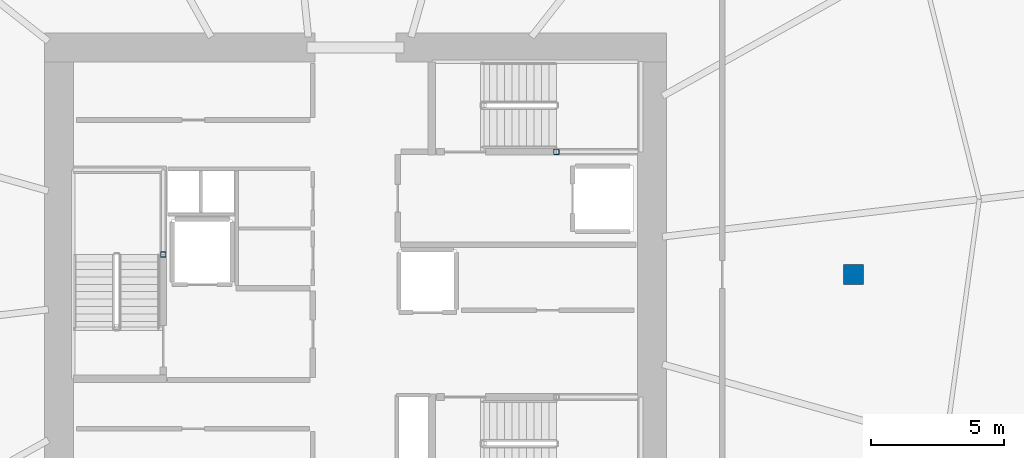
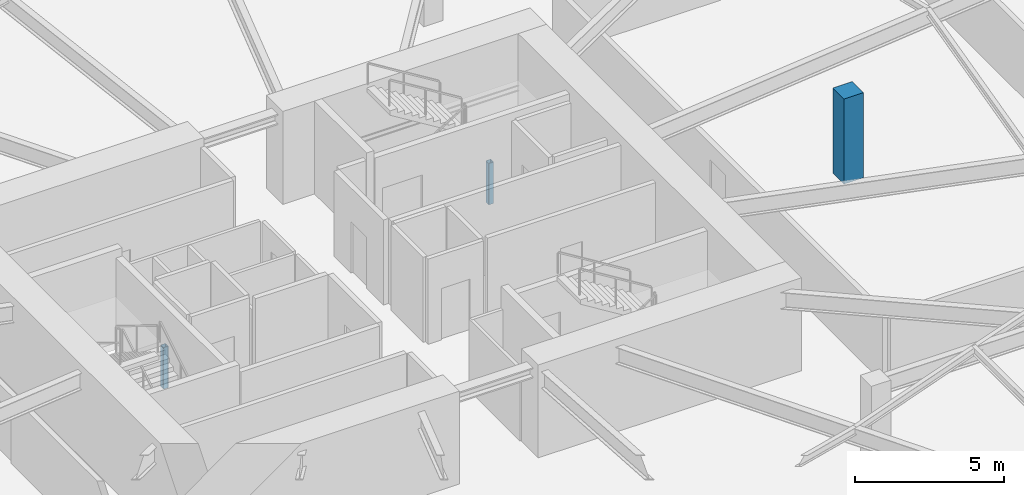
# One storey, part 4 of 13: 3 columns.
"""IFC4 building model written with IfcOpenShell, lengths in metres."""

from ifc_helpers import new_model, si_unit, direction, frame, origin, origin_2d, place, context, subcontext, project, spatial, rectangle, hollow_rectangle, extrude, material, material_profile, profile_set, type_object, element, save


model = new_model("IFC4")

# Units and contexts
model_context = context("Model", 3, precision=1e-05, world=origin(), true_north=direction((0.0, 1.0)))
body_context = subcontext(model_context, "Body", "Model", "MODEL_VIEW")
ifc_project = project(units=[si_unit("LENGTHUNIT", "METRE"), si_unit("AREAUNIT", "SQUARE_METRE"), si_unit("VOLUMEUNIT", "CUBIC_METRE"), si_unit("PLANEANGLEUNIT", "RADIAN"), si_unit("MASSUNIT", "GRAM", prefix="KILO")], contexts=[model_context])

# Site, building, storey
site_placement = place(None, origin())
site = spatial("IfcSite", under=ifc_project, at=site_placement, CompositionType="ELEMENT")
building_placement = place(site_placement, origin())
building = spatial("IfcBuilding", under=site, at=building_placement, Name="Kazma Halo Residences", CompositionType="ELEMENT")
storey_placement = place(building_placement, frame((0.0, 0.0, -3.800048828125)))
storey = spatial("IfcBuildingStorey", under=building, at=storey_placement, Name="B01", CompositionType="ELEMENT", Elevation=-3.800048828125)

# Columns
ifc_material_1 = material(Name="Concrete C60/75", Category="concrete")
ifc_material_profile_1 = material_profile(ifc_material_1, rectangle(XDim=0.75, YDim=0.75, at=origin_2d()), Name="RECT750x750")
ifc_profile_set_1 = profile_set([ifc_material_profile_1], Name="Concrete C60/75")
column_type_1 = type_object("IfcColumnType", Name="COL-BSMT-750", PredefinedType="COLUMN", material=ifc_profile_set_1)
column_placement = place(storey_placement, frame((67.199951171875, 42.0, 0.0), z_axis=(0.0, 0.0, 1.0), x_axis=(1.0, 0.0, 0.0)))
element("IfcColumn", 1, at=column_placement, inside=storey, type_object=column_type_1, Name="B01 parking grid column 21", PredefinedType="COLUMN", context=body_context, shape_type="SweptSolid", body=[
    extrude(rectangle(XDim=0.75, YDim=0.75, at=origin_2d()), origin(), (0.0, 0.0, 1.0), 3.47998046875),
])
ifc_material_2 = material(Name="Steel S355", Category="steel")
ifc_material_profile_2 = material_profile(ifc_material_2, hollow_rectangle(XDim=0.199951171875, YDim=0.199951171875, WallThickness=0.010009765625, InnerFilletRadius=0.010009765625, OuterFilletRadius=0.02001953125, at=origin_2d()), Name="SHS200x200x10")
ifc_profile_set_2 = profile_set([ifc_material_profile_2], Name="Steel S355")
column_type_2 = type_object("IfcColumnType", Name="COL-LP-SHS200", PredefinedType="COLUMN", material=ifc_profile_set_2)
for number, where, z_axis, x_axis, name in (
    (2, (41.179931640625, 42.75, 0.0), (0.0, 0.0, 1.0), (1.0, 0.0, 0.0), "B01 ST-01 landing pilaster 1"),
    (3, (56.0, 46.6201171875, 0.0), (0.0, 0.0, 1.0), (1.0, 0.0, 0.0), "B01 ST-02 landing pilaster 1"),
):
    element("IfcColumn", number, at=place(storey_placement, frame(where, z_axis=z_axis, x_axis=x_axis)), inside=storey, type_object=column_type_2, Name=name, PredefinedType="COLUMN", context=body_context, shape_type="SweptSolid", body=[
        extrude(hollow_rectangle(XDim=0.199951171875, YDim=0.199951171875, WallThickness=0.010009765625, InnerFilletRadius=0.010009765625, OuterFilletRadius=0.02001953125, at=origin_2d()), origin(), (0.0, 0.0, 1.0), 1.695068359375),
    ])

save(model, "model.ifc")
